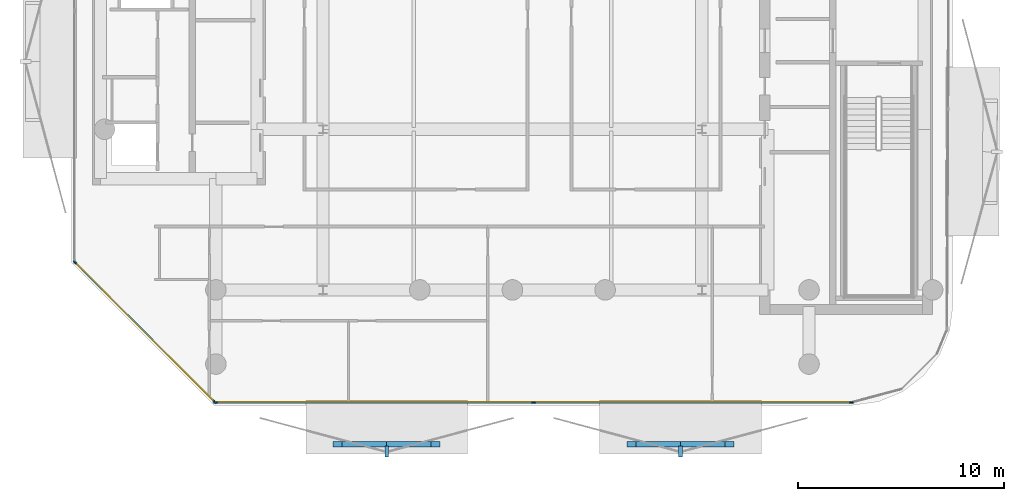
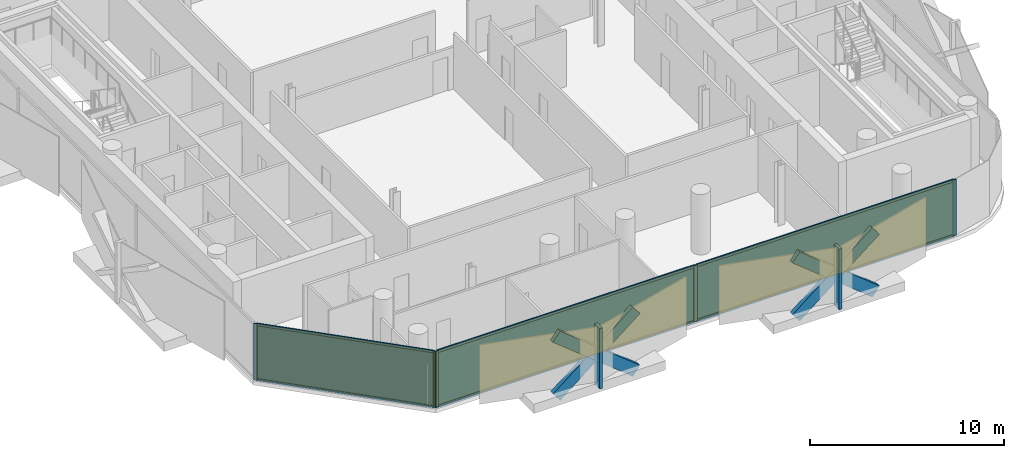
# One storey, part 9 of 16: 17 members, 3 plates, 2 curtain walls.
"""IFC4 building model written with IfcOpenShell, lengths in metres."""

from ifc_helpers import new_model, si_unit, direction, frame, frame_2d, origin, origin_2d, place, context, subcontext, project, spatial, rectangle, extrude, material, layer, layer_set, material_profile, profile_set, type_object, element, aggregate, save


model = new_model("IFC4")

# Units and contexts
model_context = context("Model", 3, precision=1e-05, world=origin(), true_north=direction((0.0, 1.0)))
body_context = subcontext(model_context, "Body", "Model", "MODEL_VIEW")
ifc_project = project(units=[si_unit("LENGTHUNIT", "METRE"), si_unit("AREAUNIT", "SQUARE_METRE"), si_unit("VOLUMEUNIT", "CUBIC_METRE"), si_unit("PLANEANGLEUNIT", "RADIAN"), si_unit("MASSUNIT", "GRAM", prefix="KILO")], contexts=[model_context])

# Member
ifc_material_1 = material(Name="Anodised Bronze Aluminium 6063-T6", Category="aluminium")
ifc_material_profile_1 = material_profile(ifc_material_1, rectangle(XDim=0.260009765625, YDim=0.699951171875, at=origin_2d()))
ifc_profile_set_1 = profile_set([ifc_material_profile_1], Name="Anodised Bronze Aluminium 6063-T6")
member_type_1 = type_object("IfcMemberType", Name="Bronze Diamond Solar-Screen Lattice Rib BDL-700", PredefinedType="MULLION", material=ifc_profile_set_1)
site_placement = place(None, origin())
building_placement = place(site_placement, origin())
storey_placement = place(building_placement, frame((0.0, 0.0, 292.800048828125)))
member_1_placement = place(storey_placement, frame((10.535400390625, -26.10009765625, -0.130126953125), z_axis=(-0.781224745612, 0.0, 0.624249867316), x_axis=(0.0, 1.0, 0.0)))
member_1 = element("IfcMember", 1, at=member_1_placement, type_object=member_type_1, Name="L70 Bronze Diamond Solar Screen Lattice Rib 486A", PredefinedType="MULLION", context=body_context, shape_type="SweptSolid", body=[
    extrude(rectangle(XDim=0.260009765625, YDim=0.699951171875, at=origin_2d()), origin(), (0.0, 0.0, 1.0), 6.08740234375),
])

member_2_placement = place(storey_placement, frame((5.77978515625, -26.10009765625, -0.130126953125), z_axis=(0.781224745612, 0.0, 0.624249867316), x_axis=(0.0, -1.0, 0.0)))
member_2 = element("IfcMember", 2, at=member_2_placement, type_object=member_type_1, Name="L70 Bronze Diamond Solar Screen Lattice Rib 486B", PredefinedType="MULLION", context=body_context, shape_type="SweptSolid", body=[
    extrude(rectangle(XDim=0.260009765625, YDim=0.699951171875, at=origin_2d()), origin(), (0.0, 0.0, 1.0), 6.08740234375),
])

member_3_placement = place(storey_placement, frame((-3.731201171875, -26.10009765625, -0.130126953125), z_axis=(-0.781209116055, 0.0, 0.624269426604), x_axis=(0.0, 1.0, 0.0)))
member_3 = element("IfcMember", 3, at=member_3_placement, type_object=member_type_1, Name="L70 Bronze Diamond Solar Screen Lattice Rib 487A", PredefinedType="MULLION", context=body_context, shape_type="SweptSolid", body=[
    extrude(rectangle(XDim=0.260009765625, YDim=0.699951171875, at=origin_2d()), origin(), (0.0, 0.0, 1.0), 6.087158203125),
])

member_4_placement = place(storey_placement, frame((-8.486572265625, -26.10009765625, -0.130126953125), z_axis=(0.781209116055, 0.0, 0.624269426604), x_axis=(0.0, -1.0, 0.0)))
member_4 = element("IfcMember", 4, at=member_4_placement, type_object=member_type_1, Name="L70 Bronze Diamond Solar Screen Lattice Rib 487B", PredefinedType="MULLION", context=body_context, shape_type="SweptSolid", body=[
    extrude(rectangle(XDim=0.260009765625, YDim=0.699951171875, at=origin_2d()), origin(), (0.0, 0.0, 1.0), 6.087158203125),
])

ifc_material_2 = material(Name="Anodised Bronze Aluminium 6063-T6", Category="aluminium")
ifc_material_profile_2 = material_profile(ifc_material_2, rectangle(XDim=0.179931640625, YDim=0.5400390625, at=origin_2d()))
ifc_profile_set_2 = profile_set([ifc_material_profile_2], Name="Anodised Bronze Aluminium 6063-T6")
member_type_2 = type_object("IfcMemberType", Name="Bronze Solar-Screen Vertical Fold Fin BSF-540", PredefinedType="MULLION", material=ifc_profile_set_2)
member_5_placement = place(storey_placement, frame((8.15771484375, -26.43994140625, -0.130126953125), z_axis=(0.0, 0.0, 1.0), x_axis=(-1.0, 0.0, 0.0)))
member_5 = element("IfcMember", 5, at=member_5_placement, type_object=member_type_2, Name="L70 Bronze Solar Screen Vertical Fin 486", PredefinedType="MULLION", context=body_context, shape_type="SweptSolid", body=[
    extrude(rectangle(XDim=0.179931640625, YDim=0.5400390625, at=origin_2d()), origin(), (0.0, 0.0, 1.0), 3.800048828125),
])

member_6_placement = place(storey_placement, frame((-6.10888671875, -26.43994140625, -0.130126953125), z_axis=(0.0, 0.0, 1.0), x_axis=(-1.0, 0.0, 0.0)))
member_6 = element("IfcMember", 6, at=member_6_placement, type_object=member_type_2, Name="L70 Bronze Solar Screen Vertical Fin 487", PredefinedType="MULLION", context=body_context, shape_type="SweptSolid", body=[
    extrude(rectangle(XDim=0.179931640625, YDim=0.5400390625, at=origin_2d()), origin(), (0.0, 0.0, 1.0), 3.800048828125),
])

ifc_material_3 = material(Name="Anodised Bronze Aluminium 6063-T6", Category="aluminium")
ifc_material_profile_3 = material_profile(ifc_material_3, rectangle(XDim=0.074951171875, YDim=0.2099609375, at=origin_2d()))
ifc_profile_set_3 = profile_set([ifc_material_profile_3], Name="Anodised Bronze Aluminium 6063-T6")
member_type_3 = type_object("IfcMemberType", Name="CW-CRN Mullion 75x210", PredefinedType="MULLION", material=ifc_profile_set_3)
member_7_placement = place(storey_placement, frame((16.453369140625, -24.06005859375, 0.0), z_axis=(0.0, 0.0, 1.0), x_axis=(0.0, -1.0, 0.0)))
member_7 = element("IfcMember", 7, at=member_7_placement, type_object=member_type_3, Name="CW-CRN mullion 1", PredefinedType="MULLION", context=body_context, shape_type="SweptSolid", body=[
    extrude(rectangle(XDim=0.074951171875, YDim=0.2099609375, at=origin_2d()), origin(), (0.0, 0.0, 1.0), 3.5400390625),
])

member_8_placement = place(storey_placement, frame((1.0244140625, -24.06005859375, 0.0), z_axis=(0.0, 0.0, 1.0), x_axis=(0.0, -1.0, 0.0)))
member_8 = element("IfcMember", 8, at=member_8_placement, type_object=member_type_3, Name="CW-CRN mullion 2", PredefinedType="MULLION", context=body_context, shape_type="SweptSolid", body=[
    extrude(rectangle(XDim=0.074951171875, YDim=0.2099609375, at=origin_2d()), origin(), (0.0, 0.0, 1.0), 3.5400390625),
])

member_9_placement = place(storey_placement, frame((-14.404541015625, -24.06005859375, 0.0), z_axis=(0.0, 0.0, 1.0), x_axis=(0.0, -1.0, 0.0)))
member_9 = element("IfcMember", 9, at=member_9_placement, type_object=member_type_3, Name="CW-CRN mullion 3", PredefinedType="MULLION", context=body_context, shape_type="SweptSolid", body=[
    extrude(rectangle(XDim=0.074951171875, YDim=0.2099609375, at=origin_2d()), origin(), (0.0, 0.0, 1.0), 3.5400390625),
])

ifc_material_4 = material(Name="Anodised Bronze Aluminium 6063-T6", Category="aluminium")
ifc_material_profile_4 = material_profile(ifc_material_4, rectangle(XDim=0.074951171875, YDim=0.1650390625, at=origin_2d()))
ifc_profile_set_4 = profile_set([ifc_material_profile_4], Name="Anodised Bronze Aluminium 6063-T6")
member_type_4 = type_object("IfcMemberType", Name="CW-CRN Transom 75x165", PredefinedType="USERDEFINED", material=ifc_profile_set_4)
member_10_placement = place(storey_placement, frame((16.415771484375, -24.06005859375, 0.037353515625), z_axis=(-1.0, 0.0, 0.0), x_axis=(0.0, -1.0, 0.0)))
member_10 = element("IfcMember", 10, at=member_10_placement, type_object=member_type_4, Name="CW-CRN transom 1.1", ObjectType="TRANSOM", PredefinedType="USERDEFINED", context=body_context, shape_type="SweptSolid", body=[
    extrude(rectangle(XDim=0.074951171875, YDim=0.1650390625, at=origin_2d()), origin(), (0.0, 0.0, 1.0), 15.353759765625),
])

member_11_placement = place(storey_placement, frame((16.415771484375, -24.06005859375, 3.50244140625), z_axis=(-1.0, 0.0, 0.0), x_axis=(0.0, -1.0, 0.0)))
member_11 = element("IfcMember", 11, at=member_11_placement, type_object=member_type_4, Name="CW-CRN transom 1.2", ObjectType="TRANSOM", PredefinedType="USERDEFINED", context=body_context, shape_type="SweptSolid", body=[
    extrude(rectangle(XDim=0.074951171875, YDim=0.1650390625, at=origin_2d()), origin(), (0.0, 0.0, 1.0), 15.353759765625),
])

member_12_placement = place(storey_placement, frame((0.98681640625, -24.06005859375, 0.037353515625), z_axis=(-1.0, 0.0, 0.0), x_axis=(0.0, -1.0, 0.0)))
member_12 = element("IfcMember", 12, at=member_12_placement, type_object=member_type_4, Name="CW-CRN transom 2.1", ObjectType="TRANSOM", PredefinedType="USERDEFINED", context=body_context, shape_type="SweptSolid", body=[
    extrude(rectangle(XDim=0.074951171875, YDim=0.1650390625, at=origin_2d()), origin(), (0.0, 0.0, 1.0), 15.353759765625),
])

member_13_placement = place(storey_placement, frame((0.98681640625, -24.06005859375, 3.50244140625), z_axis=(-1.0, 0.0, 0.0), x_axis=(0.0, -1.0, 0.0)))
member_13 = element("IfcMember", 13, at=member_13_placement, type_object=member_type_4, Name="CW-CRN transom 2.2", ObjectType="TRANSOM", PredefinedType="USERDEFINED", context=body_context, shape_type="SweptSolid", body=[
    extrude(rectangle(XDim=0.074951171875, YDim=0.1650390625, at=origin_2d()), origin(), (0.0, 0.0, 1.0), 15.353759765625),
])

ifc_material_5 = material(Name="Anodised Bronze Aluminium 6063-T6", Category="aluminium")
ifc_material_profile_5 = material_profile(ifc_material_5, rectangle(XDim=0.070068359375, YDim=0.18994140625, at=origin_2d()))
ifc_profile_set_5 = profile_set([ifc_material_profile_5], Name="Anodised Bronze Aluminium 6063-T6")
member_type_5 = type_object("IfcMemberType", Name="CW-SLC Mullion 70x190", PredefinedType="MULLION", material=ifc_profile_set_5)
member_14_placement = place(storey_placement, frame((-14.466796875, -24.03515625, 0.0), z_axis=(0.0, 0.0, 1.0), x_axis=(-0.707106781187, -0.707106781187, 0.0)))
member_14 = element("IfcMember", 14, at=member_14_placement, type_object=member_type_5, Name="CW-SLC mullion 1", PredefinedType="MULLION", context=body_context, shape_type="SweptSolid", body=[
    extrude(rectangle(XDim=0.070068359375, YDim=0.18994140625, at=origin_2d()), origin(), (0.0, 0.0, 1.0), 3.5400390625),
])

member_15_placement = place(storey_placement, frame((-21.2353515625, -17.266845703125, 0.0), z_axis=(0.0, 0.0, 1.0), x_axis=(-0.707106781187, -0.707106781187, 0.0)))
member_15 = element("IfcMember", 15, at=member_15_placement, type_object=member_type_5, Name="CW-SLC mullion 2", PredefinedType="MULLION", context=body_context, shape_type="SweptSolid", body=[
    extrude(rectangle(XDim=0.070068359375, YDim=0.18994140625, at=origin_2d()), origin(), (0.0, 0.0, 1.0), 3.5400390625),
])

ifc_material_6 = material(Name="Anodised Bronze Aluminium 6063-T6", Category="aluminium")
ifc_material_profile_6 = material_profile(ifc_material_6, rectangle(XDim=0.070068359375, YDim=0.14990234375, at=origin_2d()))
ifc_profile_set_6 = profile_set([ifc_material_profile_6], Name="Anodised Bronze Aluminium 6063-T6")
member_type_6 = type_object("IfcMemberType", Name="CW-SLC Transom 70x150", PredefinedType="USERDEFINED", material=ifc_profile_set_6)
member_16_placement = place(storey_placement, frame((-14.491455078125, -24.010498046875, 0.034912109375), z_axis=(-0.707106781187, 0.707106781187, 0.0), x_axis=(-0.707106781187, -0.707106781187, 0.0)))
member_16 = element("IfcMember", 16, at=member_16_placement, type_object=member_type_6, Name="CW-SLC transom 1.1", ObjectType="TRANSOM", PredefinedType="USERDEFINED", context=body_context, shape_type="SweptSolid", body=[
    extrude(rectangle(XDim=0.070068359375, YDim=0.14990234375, at=origin_2d()), origin(), (0.0, 0.0, 1.0), 9.502197265625),
])

member_17_placement = place(storey_placement, frame((-14.491455078125, -24.010498046875, 3.5048828125), z_axis=(-0.707106781187, 0.707106781187, 0.0), x_axis=(-0.707106781187, -0.707106781187, 0.0)))
member_17 = element("IfcMember", 17, at=member_17_placement, type_object=member_type_6, Name="CW-SLC transom 1.2", ObjectType="TRANSOM", PredefinedType="USERDEFINED", context=body_context, shape_type="SweptSolid", body=[
    extrude(rectangle(XDim=0.070068359375, YDim=0.14990234375, at=origin_2d()), origin(), (0.0, 0.0, 1.0), 9.502197265625),
])

# Plate
ifc_material_7 = material(Name="Low-E Solar Control Laminated Glass", Category="glass")
ifc_layer_1 = layer(ifc_material_7, 0.035888671875, Name="Low-E Solar Control Laminated Glass")
ifc_layer_set_1 = layer_set([ifc_layer_1], Name="Low-E Solar Control Laminated Glass")
plate_type_1 = type_object("IfcPlateType", Name="CW-CRN Low-E Double Glazed Panel 36mm", PredefinedType="CURTAIN_PANEL", material=ifc_layer_set_1)
plate_1_placement = place(storey_placement, frame((8.73876953125, -24.06005859375, 0.0751953125), z_axis=(0.0, 0.0, 1.0), x_axis=(-1.0, 0.0, 0.0)))
plate_1 = element("IfcPlate", 18, at=plate_1_placement, type_object=plate_type_1, Name="CW-CRN panel 1.1", PredefinedType="CURTAIN_PANEL", context=body_context, shape_type="SweptSolid", body=[
    extrude(rectangle(XDim=15.35400390625, YDim=0.035888671875, at=origin_2d()), origin(), (0.0, 0.0, 1.0), 3.389892578125),
])

plate_2_placement = place(storey_placement, frame((-6.68994140625, -24.06005859375, 0.0751953125), z_axis=(0.0, 0.0, 1.0), x_axis=(-1.0, 0.0, 0.0)))
plate_2 = element("IfcPlate", 19, at=plate_2_placement, type_object=plate_type_1, Name="CW-CRN panel 2.1", PredefinedType="CURTAIN_PANEL", context=body_context, shape_type="SweptSolid", body=[
    extrude(rectangle(XDim=15.35400390625, YDim=0.035888671875, at=origin_2d()), origin(), (0.0, 0.0, 1.0), 3.389892578125),
])

ifc_material_8 = material(Name="Low-E Solar Control Laminated Glass", Category="glass")
ifc_layer_2 = layer(ifc_material_8, 0.033935546875, Name="Low-E Solar Control Laminated Glass")
ifc_layer_set_2 = layer_set([ifc_layer_2], Name="Low-E Solar Control Laminated Glass")
plate_type_2 = type_object("IfcPlateType", Name="CW-SLC Low-E Double Glazed Panel 34mm", PredefinedType="CURTAIN_PANEL", material=ifc_layer_set_2)
plate_3_placement = place(storey_placement, frame((-17.85107421875, -20.65087890625, 0.070068359375), z_axis=(0.0, 0.0, 1.0), x_axis=(-0.707106781187, 0.707106781187, 0.0)))
plate_3 = element("IfcPlate", 20, at=plate_3_placement, type_object=plate_type_2, Name="CW-SLC panel 1.1", PredefinedType="CURTAIN_PANEL", context=body_context, shape_type="SweptSolid", body=[
    extrude(rectangle(XDim=9.502197265625, YDim=0.033935546875, at=origin_2d()), origin(), (0.0, 0.0, 1.0), 3.39990234375),
])

# Site, building, storey
site = spatial("IfcSite", under=ifc_project, at=site_placement, CompositionType="ELEMENT")
building = spatial("IfcBuilding", under=site, at=building_placement, Name="Khairoan Windgate Tower", CompositionType="ELEMENT")
storey = spatial("IfcBuildingStorey", under=building, at=storey_placement, Name="L70", CompositionType="ELEMENT", Elevation=292.800048828125)

# Curtain wall
ifc_material_9 = material(Name="Anodised Bronze Aluminium 6063-T6", Category="aluminium")
ifc_layer_3 = layer(ifc_material_9, 0.2099609375, Name="Anodised Bronze Aluminium 6063-T6")
ifc_layer_set_3 = layer_set([ifc_layer_3], Name="Anodised Bronze Aluminium 6063-T6")
curtain_wall_type_1 = type_object("IfcCurtainWallType", Name="Crown Observation and Vitrine Curtain Wall CW-CRN", PredefinedType="NOTDEFINED", material=ifc_layer_set_3)
curtain_wall_1_placement = place(storey_placement, frame((16.49072265625, -24.06005859375, 0.0), z_axis=(0.0, 0.0, 1.0), x_axis=(-1.0, 0.0, 0.0)))
curtain_wall_1 = element("IfcCurtainWall", 21, at=curtain_wall_1_placement, inside=storey, type_object=curtain_wall_type_1, Name="L70 Unitised Curtain Wall 1", PredefinedType="NOTDEFINED", context=body_context, shape_type="SweptSolid", body=[
    extrude(rectangle(XDim=30.9326171875, YDim=0.010009765625, at=frame_2d((15.46630859375, 0.0))), origin(), (0.0, 0.0, 1.0), 3.5400390625),
])

aggregate(curtain_wall_1, [member_7, member_8, member_9, member_10, member_11, plate_1, member_12, member_13, plate_2, member_1, member_2, member_5, member_3, member_4, member_6])

ifc_material_10 = material(Name="Anodised Bronze Aluminium 6063-T6", Category="aluminium")
ifc_layer_4 = layer(ifc_material_10, 0.18994140625, Name="Anodised Bronze Aluminium 6063-T6")
ifc_layer_set_4 = layer_set([ifc_layer_4], Name="Anodised Bronze Aluminium 6063-T6")
curtain_wall_type_2 = type_object("IfcCurtainWallType", Name="Diagonal Corner-Slice Facet Curtain Wall CW-SLC", PredefinedType="NOTDEFINED", material=ifc_layer_set_4)
curtain_wall_2_placement = place(storey_placement, frame((-14.44189453125, -24.06005859375, 0.0), z_axis=(0.0, 0.0, 1.0), x_axis=(-0.707106781187, 0.707106781187, 0.0)))
curtain_wall_2 = element("IfcCurtainWall", 22, at=curtain_wall_2_placement, inside=storey, type_object=curtain_wall_type_2, Name="L70 Crystal Slice Curtain Wall 2", PredefinedType="NOTDEFINED", context=body_context, shape_type="SweptSolid", body=[
    extrude(rectangle(XDim=9.642333984375, YDim=0.010009765625, at=frame_2d((4.8212890625, 0.0))), origin(), (0.0, 0.0, 1.0), 3.5400390625),
])

aggregate(curtain_wall_2, [member_14, member_15, member_16, member_17, plate_3])

save(model, "model.ifc")
